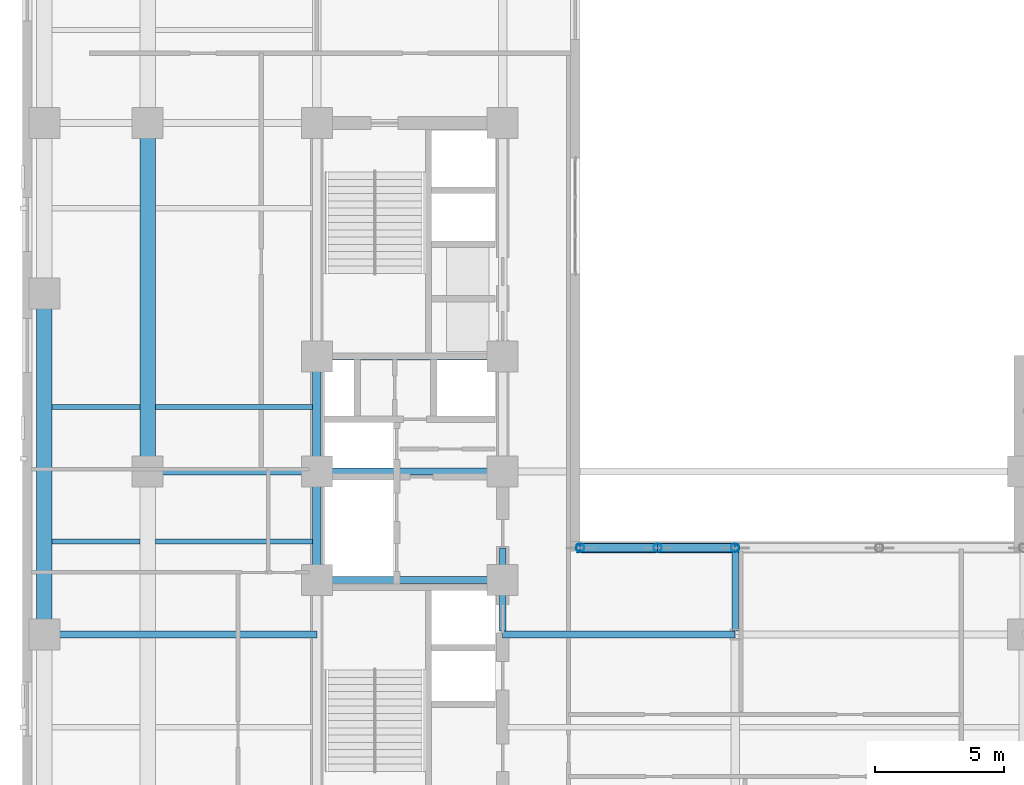
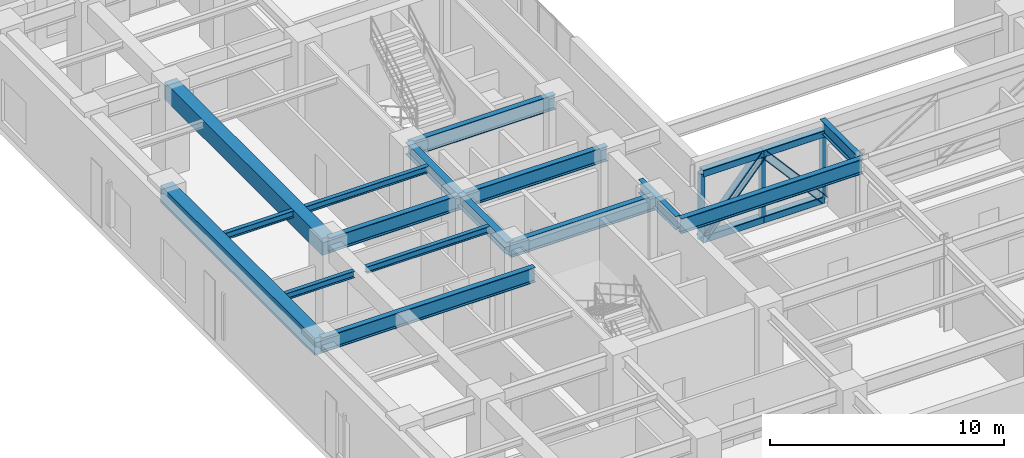
# One storey, part 3 of 18: 16 beams, 9 members.
"""IFC4 building model written with IfcOpenShell, lengths in metres."""

from ifc_helpers import new_model, entity, si_unit, converted_unit, direction, frame, origin_with_axes, origin_2d_with_axis, place, context, subcontext, project, spatial, rectangle, hollow_rectangle, hollow_circle, i_section, extrude, material, material_profile, profile_set, type_object, element, save


model = new_model("IFC4")

# Units and contexts
model_context = context("Model", 3, precision=1e-05, world=origin_with_axes(), true_north=direction((0.0, 1.0)))
body_context = subcontext(model_context, "Body", "Model", "MODEL_VIEW")
ifc_project = project(units=[si_unit("LENGTHUNIT", "METRE"), si_unit("AREAUNIT", "SQUARE_METRE"), si_unit("VOLUMEUNIT", "CUBIC_METRE"), converted_unit("PLANEANGLEUNIT", "DEGREE", entity("IfcPlaneAngleMeasure", 0.017453292519943295), si_unit("PLANEANGLEUNIT", "RADIAN"), dimensions=[0, 0, 0, 0, 0, 0, 0]), si_unit("MASSUNIT", "GRAM", prefix="KILO"), si_unit("THERMODYNAMICTEMPERATUREUNIT", "KELVIN")], contexts=[model_context])

# Site, building, storey
site_placement = place(None, origin_with_axes())
site = spatial("IfcSite", under=ifc_project, at=site_placement, CompositionType="ELEMENT")
building_placement = place(site_placement, origin_with_axes())
building = spatial("IfcBuilding", under=site, at=building_placement, Name="Varnlund Millrace Tower", CompositionType="ELEMENT")
storey_placement = place(building_placement, frame((0.0, 0.0, 124.2), z_axis=(0.0, 0.0, 1.0), x_axis=(1.0, 0.0, 0.0)))
storey = spatial("IfcBuildingStorey", under=building, at=storey_placement, Name="L30", CompositionType="ELEMENT", Elevation=124.2)

# Beams
ifc_material_1 = material(Name="Steel ASTM A992 Grade 50", Category="steel")
ifc_material_profile_1 = material_profile(ifc_material_1, i_section(OverallWidth=0.328, OverallDepth=0.628, WebThickness=0.0165, FlangeThickness=0.0277, FilletRadius=0.018, at=origin_2d_with_axis()), Name="Steel ASTM A992 Grade 50")
ifc_profile_set_1 = profile_set([ifc_material_profile_1], Name="Steel ASTM A992 Grade 50")
beam_type_1 = type_object("IfcBeamType", Name="Type-Girder-W24X146", PredefinedType="USERDEFINED", material=ifc_profile_set_1)
beam_1_placement = place(storey_placement, frame((11.4, 20.1, 4.246), z_axis=(0.0, 1.0, 0.0), x_axis=(-1.0, 0.0, 0.0)))
element("IfcBeam", 1, at=beam_1_placement, inside=storey, type_object=beam_type_1, Name="Type-Girder-W24X146", ObjectType="GIRDER", PredefinedType="USERDEFINED", context=body_context, shape_type="SweptSolid", body=[
    extrude(i_section(OverallWidth=0.328, OverallDepth=0.628, WebThickness=0.0165, FlangeThickness=0.0277, FilletRadius=0.018, at=origin_2d_with_axis()), origin_with_axes(), (0.0, 0.0, 1.0), 4.2),
])
beam_2_placement = place(storey_placement, frame((11.4, 24.3, 4.246), z_axis=(0.0, 1.0, 0.0), x_axis=(-1.0, 0.0, 0.0)))
element("IfcBeam", 2, at=beam_2_placement, inside=storey, type_object=beam_type_1, Name="Type-Girder-W24X146", ObjectType="GIRDER", PredefinedType="USERDEFINED", context=body_context, shape_type="SweptSolid", body=[
    extrude(i_section(OverallWidth=0.328, OverallDepth=0.628, WebThickness=0.0165, FlangeThickness=0.0277, FilletRadius=0.018, at=origin_2d_with_axis()), origin_with_axes(), (0.0, 0.0, 1.0), 4.45),
])
ifc_material_profile_2 = material_profile(ifc_material_1, i_section(OverallWidth=0.256, OverallDepth=0.693, WebThickness=0.0145, FlangeThickness=0.0236, FilletRadius=0.018, at=origin_2d_with_axis()), Name="Steel ASTM A992 Grade 50")
ifc_profile_set_2 = profile_set([ifc_material_profile_2], Name="Steel ASTM A992 Grade 50")
beam_type_2 = type_object("IfcBeamType", Name="Type-Girder-W27X114", PredefinedType="USERDEFINED", material=ifc_profile_set_2)
for number, where, z_axis, x_axis, name in (
    (3, (18.6, 18.14, 4.2135), (0.0, 1.0, 0.0), (-1.0, 0.0, 0.0), "Type-Girder-W27X114"),
    (4, (27.6, 18.14, 4.2135), (0.0, 1.0, 0.0), (-1.0, 0.0, 0.0), "Type-Girder-W27X114"),
):
    element("IfcBeam", number, at=place(storey_placement, frame(where, z_axis=z_axis, x_axis=x_axis)), inside=storey, type_object=beam_type_2, Name=name, ObjectType="GIRDER", PredefinedType="USERDEFINED", context=body_context, shape_type="SweptSolid", body=[
        extrude(i_section(OverallWidth=0.256, OverallDepth=0.693, WebThickness=0.0145, FlangeThickness=0.0236, FilletRadius=0.018, at=origin_2d_with_axis()), origin_with_axes(), (0.0, 0.0, 1.0), 3.21),
    ])
ifc_material_profile_3 = material_profile(ifc_material_1, i_section(OverallWidth=0.266, OverallDepth=0.779, WebThickness=0.0165, FlangeThickness=0.03, FilletRadius=0.02, at=origin_2d_with_axis()), Name="Steel ASTM A992 Grade 50")
ifc_profile_set_3 = profile_set([ifc_material_profile_3], Name="Steel ASTM A992 Grade 50")
beam_type_3 = type_object("IfcBeamType", Name="Type-Girder-W30X148", PredefinedType="USERDEFINED", material=ifc_profile_set_3)
beam_3_placement = place(storey_placement, frame((0.85, 18.0, 4.1705), z_axis=(1.0, 0.0, 0.0), x_axis=(0.0, 1.0, 0.0)))
element("IfcBeam", 5, at=beam_3_placement, inside=storey, type_object=beam_type_3, Name="Type-Girder-W30X148", ObjectType="GIRDER", PredefinedType="USERDEFINED", context=body_context, shape_type="SweptSolid", body=[
    extrude(i_section(OverallWidth=0.266, OverallDepth=0.779, WebThickness=0.0165, FlangeThickness=0.03, FilletRadius=0.02, at=origin_2d_with_axis()), origin_with_axes(), (0.0, 0.0, 1.0), 10.55),
])
beam_4_placement = place(storey_placement, frame((18.6, 18.0, 4.1705), z_axis=(1.0, 0.0, 0.0), x_axis=(0.0, 1.0, 0.0)))
element("IfcBeam", 6, at=beam_4_placement, inside=storey, type_object=beam_type_3, Name="Type-Girder-W30X148", ObjectType="GIRDER", PredefinedType="USERDEFINED", context=body_context, shape_type="SweptSolid", body=[
    extrude(i_section(OverallWidth=0.266, OverallDepth=0.779, WebThickness=0.0165, FlangeThickness=0.03, FilletRadius=0.02, at=origin_2d_with_axis()), origin_with_axes(), (0.0, 0.0, 1.0), 9.0),
])
beam_5_placement = place(storey_placement, frame((11.4, 20.1, 4.1705), z_axis=(1.0, 0.0, 0.0), x_axis=(0.0, 1.0, 0.0)))
element("IfcBeam", 7, at=beam_5_placement, inside=storey, type_object=beam_type_3, Name="Type-Girder-W30X148", ObjectType="GIRDER", PredefinedType="USERDEFINED", context=body_context, shape_type="SweptSolid", body=[
    extrude(i_section(OverallWidth=0.266, OverallDepth=0.779, WebThickness=0.0165, FlangeThickness=0.03, FilletRadius=0.02, at=origin_2d_with_axis()), origin_with_axes(), (0.0, 0.0, 1.0), 7.2),
])
beam_6_placement = place(storey_placement, frame((4.85, 24.3, 4.1705), z_axis=(1.0, 0.0, 0.0), x_axis=(0.0, 1.0, 0.0)))
element("IfcBeam", 8, at=beam_6_placement, inside=storey, type_object=beam_type_3, Name="Type-Girder-W30X148", ObjectType="GIRDER", PredefinedType="USERDEFINED", context=body_context, shape_type="SweptSolid", body=[
    extrude(i_section(OverallWidth=0.266, OverallDepth=0.779, WebThickness=0.0165, FlangeThickness=0.03, FilletRadius=0.02, at=origin_2d_with_axis()), origin_with_axes(), (0.0, 0.0, 1.0), 6.55),
])
for number, where, z_axis, x_axis, name in (
    (9, (11.4, 24.3, 4.1705), (1.0, 0.0, 0.0), (0.0, 1.0, 0.0), "Type-Girder-W30X148"),
    (10, (11.4, 28.75, 4.1705), (1.0, 0.0, 0.0), (0.0, 1.0, 0.0), "Type-Girder-W30X148"),
):
    element("IfcBeam", number, at=place(storey_placement, frame(where, z_axis=z_axis, x_axis=x_axis)), inside=storey, type_object=beam_type_3, Name=name, ObjectType="GIRDER", PredefinedType="USERDEFINED", context=body_context, shape_type="SweptSolid", body=[
        extrude(i_section(OverallWidth=0.266, OverallDepth=0.779, WebThickness=0.0165, FlangeThickness=0.03, FilletRadius=0.02, at=origin_2d_with_axis()), origin_with_axes(), (0.0, 0.0, 1.0), 7.2),
    ])
ifc_material_profile_4 = material_profile(ifc_material_1, i_section(OverallWidth=0.204, OverallDepth=0.35, WebThickness=0.0086, FlangeThickness=0.0151, FilletRadius=0.013, at=origin_2d_with_axis()), Name="Steel ASTM A992 Grade 50")
ifc_profile_set_4 = profile_set([ifc_material_profile_4], Name="Steel ASTM A992 Grade 50")
beam_type_4 = type_object("IfcBeamType", Name="Type-Joist-W14X48", PredefinedType="JOIST", material=ifc_profile_set_4)
for number, where, z_axis, x_axis, name in (
    (11, (1.15, 21.6, 4.385), (1.0, 0.0, 0.0), (0.0, 1.0, 0.0), "Type-Joist-W14X48"),
    (12, (1.15, 26.8, 4.385), (1.0, 0.0, 0.0), (0.0, 1.0, 0.0), "Type-Joist-W14X48"),
):
    element("IfcBeam", number, at=place(storey_placement, frame(where, z_axis=z_axis, x_axis=x_axis)), inside=storey, type_object=beam_type_4, Name=name, PredefinedType="JOIST", context=body_context, shape_type="SweptSolid", body=[
        extrude(i_section(OverallWidth=0.204, OverallDepth=0.35, WebThickness=0.0086, FlangeThickness=0.0151, FilletRadius=0.013, at=origin_2d_with_axis()), origin_with_axes(), (0.0, 0.0, 1.0), 3.4),
    ])
for number, where, z_axis, x_axis, name in (
    (13, (5.15, 21.6, 4.385), (1.0, 0.0, 0.0), (0.0, 1.0, 0.0), "Type-Joist-W14X48"),
    (14, (5.15, 26.8, 4.385), (1.0, 0.0, 0.0), (0.0, 1.0, 0.0), "Type-Joist-W14X48"),
):
    element("IfcBeam", number, at=place(storey_placement, frame(where, z_axis=z_axis, x_axis=x_axis)), inside=storey, type_object=beam_type_4, Name=name, PredefinedType="JOIST", context=body_context, shape_type="SweptSolid", body=[
        extrude(i_section(OverallWidth=0.204, OverallDepth=0.35, WebThickness=0.0086, FlangeThickness=0.0151, FilletRadius=0.013, at=origin_2d_with_axis()), origin_with_axes(), (0.0, 0.0, 1.0), 6.086),
    ])

# Members
ifc_material_2 = material(Name="Steel ASTM A500 Grade C", Category="steel")
ifc_material_profile_5 = material_profile(ifc_material_2, hollow_rectangle(XDim=0.356, YDim=0.356, WallThickness=0.0147, InnerFilletRadius=0.015, OuterFilletRadius=0.03, at=origin_2d_with_axis()), Name="Steel ASTM A500 Grade C")
ifc_profile_set_5 = profile_set([ifc_material_profile_5], Name="Steel ASTM A500 Grade C")
member_type_1 = type_object("IfcMemberType", Name="Type-Portal-Chord-HSS14", PredefinedType="CHORD", material=ifc_profile_set_5)
for number, where, z_axis, x_axis, name in (
    (15, (21.6, 21.35, 0.4), (1.0, 0.0, 0.0), (0.0, 1.0, 0.0), "Type-Portal-Chord-HSS14"),
    (16, (21.6, 21.35, 3.85), (1.0, 0.0, 0.0), (0.0, 1.0, 0.0), "Type-Portal-Chord-HSS14"),
    (17, (24.6, 21.35, 0.4), (1.0, 0.0, 0.0), (0.0, 1.0, 0.0), "Type-Portal-Chord-HSS14"),
    (18, (24.6, 21.35, 3.85), (1.0, 0.0, 0.0), (0.0, 1.0, 0.0), "Type-Portal-Chord-HSS14"),
):
    element("IfcMember", number, at=place(storey_placement, frame(where, z_axis=z_axis, x_axis=x_axis)), inside=storey, type_object=member_type_1, Name=name, PredefinedType="CHORD", context=body_context, shape_type="SweptSolid", body=[
        extrude(hollow_rectangle(XDim=0.356, YDim=0.356, WallThickness=0.0147, InnerFilletRadius=0.015, OuterFilletRadius=0.03, at=origin_2d_with_axis()), origin_with_axes(), (0.0, 0.0, 1.0), 3.0),
    ])
ifc_material_profile_6 = material_profile(ifc_material_1, i_section(OverallWidth=0.394, OverallDepth=0.375, WebThickness=0.0173, FlangeThickness=0.0277, FilletRadius=0.02, at=origin_2d_with_axis()), Name="Steel ASTM A992 Grade 50")
ifc_profile_set_6 = profile_set([ifc_material_profile_6], Name="Steel ASTM A992 Grade 50")
member_type_2 = type_object("IfcMemberType", Name="Type-Portal-Diag-W14X145", PredefinedType="BRACE", material=ifc_profile_set_6)
for number, where, z_axis, x_axis, name in (
    (19, (21.6, 21.35, 0.4), (0.656179, 0.0, 0.754606), (0.0, 1.0, 0.0), "Type-Portal-Diag-W14X145"),
    (20, (24.6, 21.35, 3.85), (0.656179, 0.0, -0.754606), (0.0, 1.0, 0.0), "Type-Portal-Diag-W14X145"),
):
    element("IfcMember", number, at=place(storey_placement, frame(where, z_axis=z_axis, x_axis=x_axis)), inside=storey, type_object=member_type_2, Name=name, PredefinedType="BRACE", context=body_context, shape_type="SweptSolid", body=[
        extrude(i_section(OverallWidth=0.394, OverallDepth=0.375, WebThickness=0.0173, FlangeThickness=0.0277, FilletRadius=0.02, at=origin_2d_with_axis()), origin_with_axes(), (0.0, 0.0, 1.0), 4.571925),
    ])
ifc_material_profile_7 = material_profile(ifc_material_2, hollow_circle(Radius=0.162, WallThickness=0.0118, at=origin_2d_with_axis()), Name="Steel ASTM A500 Grade C")
ifc_profile_set_7 = profile_set([ifc_material_profile_7], Name="Steel ASTM A500 Grade C")
member_type_3 = type_object("IfcMemberType", Name="Type-Portal-Strut-CHS324", PredefinedType="STRUT", material=ifc_profile_set_7)
for number, where, z_axis, x_axis, name in (
    (21, (21.6, 21.35, 0.4), (0.0, 0.0, 1.0), (1.0, 0.0, 0.0), "Type-Portal-Strut-CHS324"),
    (22, (24.6, 21.35, 0.4), (0.0, 0.0, 1.0), (1.0, 0.0, 0.0), "Type-Portal-Strut-CHS324"),
    (23, (27.6, 21.35, 0.4), (0.0, 0.0, 1.0), (1.0, 0.0, 0.0), "Type-Portal-Strut-CHS324"),
):
    element("IfcMember", number, at=place(storey_placement, frame(where, z_axis=z_axis, x_axis=x_axis)), inside=storey, type_object=member_type_3, Name=name, PredefinedType="STRUT", context=body_context, shape_type="SweptSolid", body=[
        extrude(hollow_circle(Radius=0.162, WallThickness=0.0118, at=origin_2d_with_axis()), origin_with_axes(), (0.0, 0.0, 1.0), 3.45),
    ])

# Beams
ifc_material_3 = material(Name="Concrete C70/85", Category="concrete")
ifc_material_profile_8 = material_profile(ifc_material_3, rectangle(XDim=0.6, YDim=0.9, at=origin_2d_with_axis()), Name="Concrete C70/85")
ifc_profile_set_8 = profile_set([ifc_material_profile_8], Name="Concrete C70/85")
beam_type_5 = type_object("IfcBeamType", Name="Type-Spandrel-RC600X900", PredefinedType="SPANDREL", material=ifc_profile_set_8)
beam_7_placement = place(storey_placement, frame((0.85, 18.0, 4.11), z_axis=(0.0, 1.0, 0.0), x_axis=(-1.0, 0.0, 0.0)))
element("IfcBeam", 24, at=beam_7_placement, inside=storey, type_object=beam_type_5, Name="Type-Spandrel-RC600X900", PredefinedType="SPANDREL", context=body_context, shape_type="SweptSolid", body=[
    extrude(rectangle(XDim=0.6, YDim=0.9, at=origin_2d_with_axis()), origin_with_axes(), (0.0, 0.0, 1.0), 13.2),
])
beam_8_placement = place(storey_placement, frame((4.85, 24.3, 4.11), z_axis=(0.0, 1.0, 0.0), x_axis=(-1.0, 0.0, 0.0)))
element("IfcBeam", 25, at=beam_8_placement, inside=storey, type_object=beam_type_5, Name="Type-Spandrel-RC600X900", PredefinedType="SPANDREL", context=body_context, shape_type="SweptSolid", body=[
    extrude(rectangle(XDim=0.6, YDim=0.9, at=origin_2d_with_axis()), origin_with_axes(), (0.0, 0.0, 1.0), 13.5),
])

save(model, "model.ifc")
